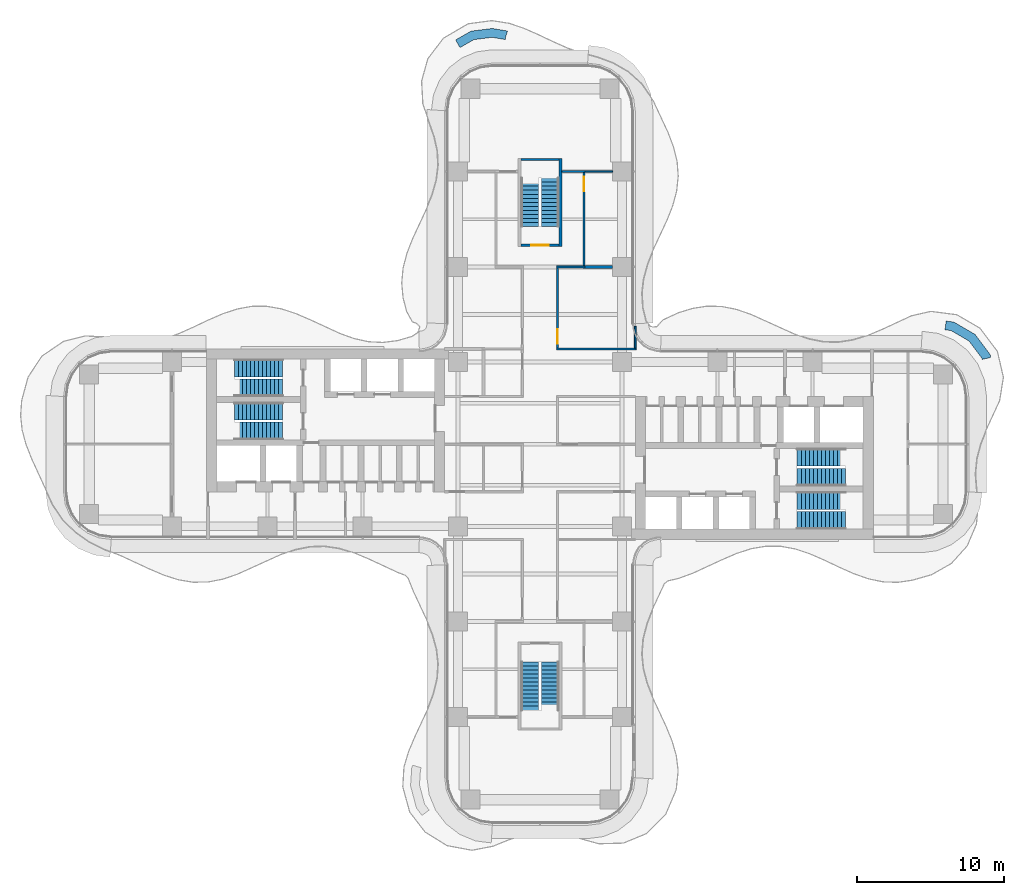
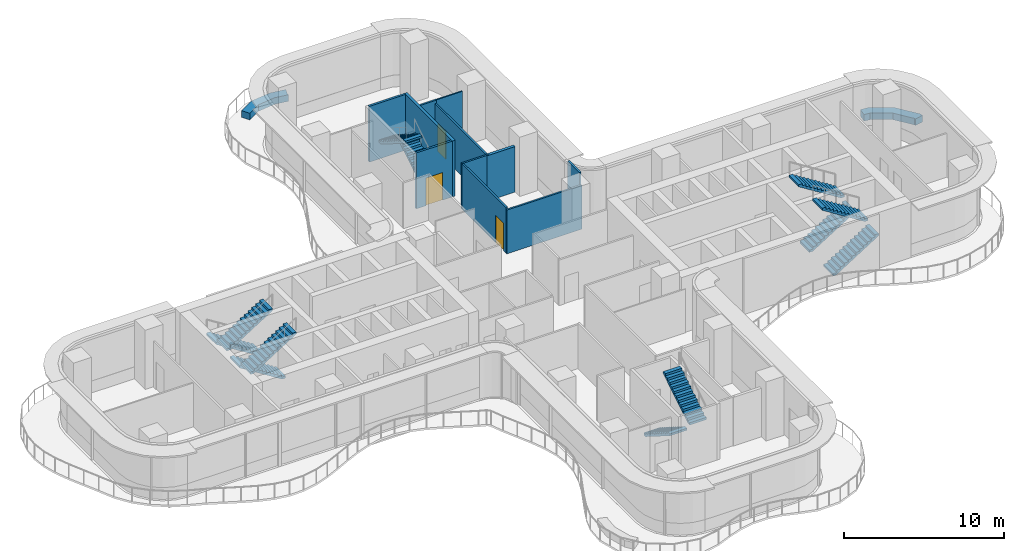
# One storey, part 19 of 21: 13 walls, 12 stair flights, 3 doors, 3 openings, 6 elements without a shape of their own.
"""IFC4 building model written with IfcOpenShell, lengths in metres."""

from ifc_helpers import new_model, si_unit, direction, frame, frame_2d, origin, place, context, subcontext, project, spatial, polyline, rectangle, outline, extrude, source, transform, mapped, material, layer, layer_set, type_object, element, fill, aggregate, save


model = new_model("IFC4")

# Units and contexts
model_context = context("Model", 3, precision=1e-05, world=origin(), true_north=direction((0.0, 1.0)))
body_context = subcontext(model_context, "Body", "Model", "MODEL_VIEW")
ifc_project = project(units=[si_unit("LENGTHUNIT", "METRE"), si_unit("AREAUNIT", "SQUARE_METRE"), si_unit("VOLUMEUNIT", "CUBIC_METRE"), si_unit("PLANEANGLEUNIT", "RADIAN"), si_unit("MASSUNIT", "GRAM", prefix="KILO")], contexts=[model_context])

# Site, building, storey
site_placement = place(None, origin())
site = spatial("IfcSite", under=ifc_project, at=site_placement, CompositionType="ELEMENT")
building_placement = place(site_placement, origin())
building = spatial("IfcBuilding", under=site, at=building_placement, Name="Trellis Farm Tower", CompositionType="ELEMENT")
storey_placement = place(building_placement, frame((0.0, 0.0, 138.0)))
storey = spatial("IfcBuildingStorey", under=building, at=storey_placement, Name="L29", CompositionType="ELEMENT", Elevation=138.0)

# Walls
ifc_material_1 = material(Name="Sandstone faced masonry planter", Category="masonry")
ifc_layer_1 = layer(ifc_material_1, 0.60009765625)
ifc_layer_set_1 = layer_set([ifc_layer_1], Name="PLANTER BED 600")
wall_type_1 = type_object("IfcWallType", Name="PLANTER BED 600", PredefinedType="USERDEFINED", material=ifc_layer_set_1)
placement = place(storey_placement, origin())
element("IfcWall", 1, at=placement, inside=storey, type_object=wall_type_1, Name="PLANTER bed", ObjectType="PLANTER", PredefinedType="USERDEFINED", context=body_context, shape_type="SweptSolid", body=[
    extrude(outline(polyline([(28.239990234375, 8.330078125), (29.684814453125, 7.489013671875), (30.706298828125, 6.12158203125), (30.75341796875, 5.917724609375), (30.168701171875, 5.782958984375), (30.150146484375, 5.86376953125), (29.277099609375, 7.031982421875), (28.0419921875, 7.751220703125), (27.628662109375, 7.805908203125), (27.70751953125, 8.400634765625), (28.239990234375, 8.330078125)])), origin(), (0.0, 0.0, 1.0), 0.5),
])
element("IfcWall", 2, at=placement, inside=storey, type_object=wall_type_1, Name="PLANTER bed", ObjectType="PLANTER", PredefinedType="USERDEFINED", context=body_context, shape_type="SweptSolid", body=[
    extrude(outline(polyline([(-3.263671875, 28.36083984375), (-2.2099609375, 28.184326171875), (-2.353515625, 27.758544921875), (-2.33935546875, 27.755126953125), (-2.36328125, 27.607177734375), (-3.27392578125, 27.754638671875), (-4.517578125, 27.59619140625), (-5.4560546875, 27.058349609375), (-5.75439453125, 27.578857421875), (-4.71240234375, 28.17626953125), (-3.263671875, 28.36083984375)])), origin(), (0.0, 0.0, 1.0), 0.5),
])
ifc_material_2 = material(Name="Concrete C70/85", Category="concrete")
ifc_layer_2 = layer(ifc_material_2, 0.199951171875)
ifc_layer_set_2 = layer_set([ifc_layer_2], Name="CORE STAIR ENCLOSURE WALL 200 CONCRETE C70/85")
wall_type_2 = type_object("IfcWallType", Name="CORE STAIR ENCLOSURE WALL 200 CONCRETE C70/85", PredefinedType="SHEAR", material=ifc_layer_set_2)
shared_shape_1 = source(origin(), body_context, "Body", "SweptSolid", [
    extrude(rectangle(XDim=6.0, YDim=0.199951171875, at=frame_2d((3.0, 0.0))), origin(), (0.0, 0.0, 1.0), 4.25),
])
wall_3_placement = place(storey_placement, frame((1.39990234375, 13.5, 0.0), z_axis=(0.0, 0.0, 1.0), x_axis=(0.0, 1.0, 0.0)))
element("IfcWall", 3, at=wall_3_placement, inside=storey, type_object=wall_type_2, Name="Stair enclosure wall", PredefinedType="SHEAR", context=body_context, shape_type="MappedRepresentation", body=[
    mapped(shared_shape_1, transform((0.0, 0.0, 0.0))),
])

# Wall, opening, door
ifc_layer_3 = layer(ifc_material_2, 0.14990234375)
ifc_layer_set_3 = layer_set([ifc_layer_3], Name="CORE STAIR ENCLOSURE WALL 150 CONCRETE C70/85")
wall_type_3 = type_object("IfcWallType", Name="CORE STAIR ENCLOSURE WALL 150 CONCRETE C70/85", PredefinedType="SHEAR", material=ifc_layer_set_3)
shared_shape_2 = source(origin(), body_context, "Body", "SweptSolid", [
    extrude(rectangle(XDim=2.60009765625, YDim=0.14990234375, at=frame_2d((1.300048828125, 0.0))), origin(), (0.0, 0.0, 1.0), 4.25),
])
wall_4_placement = place(storey_placement, frame((-1.300048828125, 13.574951171875, 0.0), z_axis=(0.0, 0.0, 1.0), x_axis=(1.0, 0.0, 0.0)))
wall_4 = element("IfcWall", 4, at=wall_4_placement, inside=storey, type_object=wall_type_3, Name="Stair enclosure wall", PredefinedType="SHEAR", context=body_context, shape_type="MappedRepresentation", body=[
    mapped(shared_shape_2, transform((0.0, 0.0, 0.0))),
])
shared_shape_3 = source(origin(), body_context, "Body", "SweptSolid", [
    extrude(rectangle(XDim=1.199951171875, YDim=2.10009765625, at=frame_2d((0.60009765625, 1.050048828125))), frame((0.0, 0.0849609375, 0.0), z_axis=(0.0, -1.0, 0.0), x_axis=(1.0, 0.0, 0.0)), (0.0, 0.0, 1.0), 0.169921875),
])
opening_1_placement = place(wall_4_placement, frame((0.699951171875, 0.0, 0.0)))
opening_1 = element("IfcOpeningElement", 5, at=opening_1_placement, cuts=wall_4, Name="Opening DC173", PredefinedType="OPENING", context=body_context, shape_type="MappedRepresentation", body=[
    mapped(shared_shape_3, transform((0.0, 0.0, 0.0))),
])
ifc_material_3 = material(Name="Steel", Category="steel")
door_type_1 = type_object("IfcDoorType", Name="CORE FIRE DOOR 1200 X 2100", OperationType="NOTDEFINED", PredefinedType="DOOR", material=ifc_material_3)
shared_shape_4 = source(origin(), body_context, "Body", "SweptSolid", [
    extrude(rectangle(XDim=1.199951171875, YDim=2.10009765625, at=frame_2d((0.60009765625, 1.050048828125))), frame((0.0, 0.02490234375, 0.0), z_axis=(0.0, -1.0, 0.0), x_axis=(1.0, 0.0, 0.0)), (0.0, 0.0, 1.0), 0.050048828125),
])
door_1_placement = place(opening_1_placement, origin())
door_1 = element("IfcDoor", 6, at=door_1_placement, inside=storey, type_object=door_type_1, Name="Core door", OperationType="SINGLE_SWING_LEFT", OverallHeight=2.10009765625, OverallWidth=1.199951171875, PredefinedType="DOOR", context=body_context, shape_type="MappedRepresentation", body=[
    mapped(shared_shape_4, transform((0.0, 0.0, 0.0))),
])
fill(opening_1, door_1)

# Wall
wall_5_placement = place(storey_placement, frame((-1.300048828125, 19.425048828125, 0.0), z_axis=(0.0, 0.0, 1.0), x_axis=(1.0, 0.0, 0.0)))
element("IfcWall", 7, at=wall_5_placement, inside=storey, type_object=wall_type_3, Name="Stair enclosure wall", PredefinedType="SHEAR", context=body_context, shape_type="MappedRepresentation", body=[
    mapped(shared_shape_2, transform((0.0, 0.0, 0.0))),
])

# Wall, opening, door
ifc_material_4 = material(Name="Plasterboard on steel studs, mineral wool", Category="steel")
ifc_layer_4 = layer(ifc_material_4, 0.125)
ifc_layer_set_4 = layer_set([ifc_layer_4], Name="PARTITION 125 STUD EI 60")
wall_type_4 = type_object("IfcWallType", Name="PARTITION 125 STUD EI 60", PredefinedType="PARTITIONING", material=ifc_layer_set_4)
shared_shape_5 = source(origin(), body_context, "Body", "SweptSolid", [
    extrude(rectangle(XDim=5.47509765625, YDim=0.125, at=frame_2d((2.737548828125, 0.0))), origin(), (0.0, 0.0, 1.0), 3.4677734375),
])
wall_6_placement = place(storey_placement, frame((1.199951171875, 12.03759765625, 0.0), z_axis=(0.0, 0.0, 1.0), x_axis=(0.0, -1.0, 0.0)))
wall_6 = element("IfcWall", 8, at=wall_6_placement, inside=storey, type_object=wall_type_4, Name="Partition PW1", PredefinedType="PARTITIONING", context=body_context, shape_type="MappedRepresentation", body=[
    mapped(shared_shape_5, transform((0.0, 0.0, 0.0))),
])
shared_shape_6 = source(origin(), body_context, "Body", "SweptSolid", [
    extrude(rectangle(XDim=1.0, YDim=2.10009765625, at=frame_2d((0.5, 1.050048828125))), frame((0.0, 0.072509765625, 0.0), z_axis=(0.0, -1.0, 0.0), x_axis=(1.0, 0.0, 0.0)), (0.0, 0.0, 1.0), 0.14501953125),
])
opening_2_placement = place(wall_6_placement, frame((4.1875, 0.0, 0.0)))
opening_2 = element("IfcOpeningElement", 9, at=opening_2_placement, cuts=wall_6, Name="Opening D304", PredefinedType="OPENING", context=body_context, shape_type="MappedRepresentation", body=[
    mapped(shared_shape_6, transform((0.0, 0.0, 0.0))),
])
ifc_material_5 = material(Name="Fire-rated timber door leaf in a hollow metal frame", Category="wood")
door_type_2 = type_object("IfcDoorType", Name="DOOR 1000x2100 FD60", OperationType="NOTDEFINED", PredefinedType="DOOR", material=ifc_material_5)
shared_shape_7 = source(origin(), body_context, "Body", "SweptSolid", [
    extrude(rectangle(XDim=1.0, YDim=2.10009765625, at=frame_2d((0.5, 1.050048828125))), frame((0.0, 0.02490234375, 0.0), z_axis=(0.0, -1.0, 0.0), x_axis=(1.0, 0.0, 0.0)), (0.0, 0.0, 1.0), 0.050048828125),
])
door_2_placement = place(opening_2_placement, origin())
door_2 = element("IfcDoor", 10, at=door_2_placement, inside=storey, type_object=door_type_2, Name="Door D304", OperationType="SINGLE_SWING_RIGHT", OverallHeight=2.10009765625, OverallWidth=1.0, PredefinedType="DOOR", context=body_context, shape_type="MappedRepresentation", body=[
    mapped(shared_shape_7, transform((0.0, 0.0, 0.0))),
])
fill(opening_2, door_2)

shared_shape_8 = source(origin(), body_context, "Body", "SweptSolid", [
    extrude(rectangle(XDim=6.35009765625, YDim=0.125, at=frame_2d((3.175048828125, 0.0))), origin(), (0.0, 0.0, 1.0), 3.4677734375),
])
wall_7_placement = place(storey_placement, frame((3.0, 18.550048828125, 0.0), z_axis=(0.0, 0.0, 1.0), x_axis=(0.0, -1.0, 0.0)))
wall_7 = element("IfcWall", 11, at=wall_7_placement, inside=storey, type_object=wall_type_4, Name="Partition PW1", PredefinedType="PARTITIONING", context=body_context, shape_type="MappedRepresentation", body=[
    mapped(shared_shape_8, transform((0.0, 0.0, 0.0))),
])
opening_3_placement = place(wall_7_placement, frame((0.300048828125, 0.0, 0.0)))
opening_3 = element("IfcOpeningElement", 12, at=opening_3_placement, cuts=wall_7, Name="Opening D113", PredefinedType="OPENING", context=body_context, shape_type="MappedRepresentation", body=[
    mapped(shared_shape_6, transform((0.0, 0.0, 0.0))),
])
door_type_3 = type_object("IfcDoorType", Name="DOOR 1000x2100 FD30S", OperationType="NOTDEFINED", PredefinedType="DOOR", material=ifc_material_5)
door_3_placement = place(opening_3_placement, origin())
door_3 = element("IfcDoor", 13, at=door_3_placement, inside=storey, type_object=door_type_3, Name="Door D113", OperationType="SINGLE_SWING_LEFT", OverallHeight=2.10009765625, OverallWidth=1.0, PredefinedType="DOOR", context=body_context, shape_type="MappedRepresentation", body=[
    mapped(shared_shape_7, transform((0.0, 0.0, 0.0))),
])
fill(opening_3, door_3)

# Walls
shared_shape_9 = source(origin(), body_context, "Body", "SweptSolid", [
    extrude(rectangle(XDim=1.468994140625, YDim=0.125, at=frame_2d((0.734375, 0.0))), origin(), (0.0, 0.0, 1.0), 4.25),
])
wall_8_placement = place(storey_placement, frame((6.5, 6.5625, 0.0), z_axis=(0.0, 0.0, 1.0), x_axis=(0.0, 1.0, 0.0)))
element("IfcWall", 14, at=wall_8_placement, inside=storey, type_object=wall_type_4, Name="Partition PW1", PredefinedType="PARTITIONING", context=body_context, shape_type="MappedRepresentation", body=[
    mapped(shared_shape_9, transform((0.0, 0.0, 0.0))),
])
shared_shape_10 = source(origin(), body_context, "Body", "SweptSolid", [
    extrude(rectangle(XDim=1.925048828125, YDim=0.125, at=frame_2d((0.96240234375, 0.0))), origin(), (0.0, 0.0, 1.0), 3.4677734375),
])
wall_9_placement = place(storey_placement, frame((3.0625, 12.10009765625, 0.0), z_axis=(0.0, 0.0, 1.0), x_axis=(-1.0, 0.0, 0.0)))
element("IfcWall", 15, at=wall_9_placement, inside=storey, type_object=wall_type_4, Name="Partition PW1", PredefinedType="PARTITIONING", context=body_context, shape_type="MappedRepresentation", body=[
    mapped(shared_shape_10, transform((0.0, 0.0, 0.0))),
])
shared_shape_11 = source(origin(), body_context, "Body", "SweptSolid", [
    extrude(rectangle(XDim=5.425048828125, YDim=0.125, at=frame_2d((2.71240234375, 0.0))), origin(), (0.0, 0.0, 1.0), 3.330078125),
])
wall_10_placement = place(storey_placement, frame((1.137451171875, 6.5, 0.0), z_axis=(0.0, 0.0, 1.0), x_axis=(1.0, 0.0, 0.0)))
element("IfcWall", 16, at=wall_10_placement, inside=storey, type_object=wall_type_4, Name="Partition PW1", PredefinedType="PARTITIONING", context=body_context, shape_type="MappedRepresentation", body=[
    mapped(shared_shape_11, transform((0.0, 0.0, 0.0))),
])
shared_shape_12 = source(origin(), body_context, "Body", "SweptSolid", [
    extrude(rectangle(XDim=1.5625, YDim=0.125, at=frame_2d((0.78125, 0.0))), origin(), (0.0, 0.0, 1.0), 3.697021484375),
])
wall_11_placement = place(storey_placement, frame((1.5, 18.60009765625, 0.0), z_axis=(0.0, 0.0, 1.0), x_axis=(1.0, 0.0, 0.0)))
element("IfcWall", 17, at=wall_11_placement, inside=storey, type_object=wall_type_4, Name="Partition PW1", PredefinedType="PARTITIONING", context=body_context, shape_type="MappedRepresentation", body=[
    mapped(shared_shape_12, transform((0.0, 0.0, 0.0))),
])
ifc_material_6 = material(Name="Plasterboard on steel studs", Category="steel")
ifc_layer_5 = layer(ifc_material_6, 0.10009765625)
ifc_layer_set_5 = layer_set([ifc_layer_5], Name="PARTITION 100 STUD EI 30")
wall_type_5 = type_object("IfcWallType", Name="PARTITION 100 STUD EI 30", PredefinedType="PARTITIONING", material=ifc_layer_set_5)
shared_shape_13 = source(origin(), body_context, "Body", "SweptSolid", [
    extrude(rectangle(XDim=2.012451171875, YDim=0.10009765625, at=frame_2d((1.00634765625, 0.0))), origin(), (0.0, 0.0, 1.0), 3.697021484375),
])
wall_12_placement = place(storey_placement, frame((2.9375, 18.60009765625, 0.0), z_axis=(0.0, 0.0, 1.0), x_axis=(1.0, 0.0, 0.0)))
element("IfcWall", 18, at=wall_12_placement, inside=storey, type_object=wall_type_5, Name="Partition PW2", PredefinedType="PARTITIONING", context=body_context, shape_type="MappedRepresentation", body=[
    mapped(shared_shape_13, transform((0.0, 0.0, 0.0))),
])
ifc_material_7 = material(Name="Lightweight blockwork, plastered", Category="masonry")
ifc_layer_6 = layer(ifc_material_7, 0.199951171875)
ifc_layer_set_6 = layer_set([ifc_layer_6], Name="BLOCK WALL 200 EI 120")
wall_type_6 = type_object("IfcWallType", Name="BLOCK WALL 200 EI 120", PredefinedType="PARTITIONING", material=ifc_layer_set_6)
shared_shape_14 = source(origin(), body_context, "Body", "SweptSolid", [
    extrude(rectangle(XDim=2.012451171875, YDim=0.199951171875, at=frame_2d((1.00634765625, 0.0))), origin(), (0.0, 0.0, 1.0), 3.4677734375),
])
wall_13_placement = place(storey_placement, frame((2.9375, 12.10009765625, 0.0), z_axis=(0.0, 0.0, 1.0), x_axis=(1.0, 0.0, 0.0)))
element("IfcWall", 19, at=wall_13_placement, inside=storey, type_object=wall_type_6, Name="Partition PW3", PredefinedType="PARTITIONING", context=body_context, shape_type="MappedRepresentation", body=[
    mapped(shared_shape_14, transform((0.0, 0.0, 0.0))),
])

# Stair, stair flights
ifc_material_8 = material(Name="Concrete C50/60", Category="concrete")
stair_type = type_object("IfcStairType", Name="CORE EXIT STAIR 26 RISERS 173 MM", PredefinedType="HALF_TURN_STAIR", material=ifc_material_8)
stair_1 = element("IfcStair", 20, at=placement, inside=storey, type_object=stair_type, Name="Exit stair N", PredefinedType="HALF_TURN_STAIR")
stair_flight_type = type_object("IfcStairFlightType", Name="STAIR FLIGHT 13 RISERS 173 MM", PredefinedType="STRAIGHT", material=ifc_material_8)
shared_shape_15 = source(origin(), body_context, "Body", "SweptSolid", [
    extrude(outline(polyline([(0.0, 0.0), (0.0, 0.173095703125), (0.27490234375, 0.173095703125), (0.27490234375, 0.34619140625), (0.550048828125, 0.34619140625), (0.550048828125, 0.519287109375), (0.824951171875, 0.519287109375), (0.824951171875, 0.6923828125), (1.10009765625, 0.6923828125), (1.10009765625, 0.865478515625), (1.375, 0.865478515625), (1.375, 1.03857421875), (1.64990234375, 1.03857421875), (1.64990234375, 1.21142578125), (1.925048828125, 1.21142578125), (1.925048828125, 1.384521484375), (2.199951171875, 1.384521484375), (2.199951171875, 1.5576171875), (2.47509765625, 1.5576171875), (2.47509765625, 1.730712890625), (2.75, 1.730712890625), (2.75, 1.90380859375), (3.02490234375, 1.90380859375), (3.02490234375, 2.076904296875), (3.300048828125, 2.076904296875), (3.300048828125, 2.25), (3.300048828125, 1.92333984375), (0.243896484375, 0.0), (0.0, 0.0)])), frame((0.0, 0.60009765625, 0.0), z_axis=(0.0, -1.0, 0.0), x_axis=(1.0, 0.0, 0.0)), (0.0, 0.0, 1.0), 1.199951171875),
])
stair_flight_1_placement = place(storey_placement, frame((0.699951171875, 14.85009765625, 0.0), z_axis=(0.0, 0.0, 1.0), x_axis=(0.0, 1.0, 0.0)))
stair_flight_1 = element("IfcStairFlight", 21, at=stair_flight_1_placement, type_object=stair_flight_type, Name="STN flight 1", NumberOfRisers=13, NumberOfTreads=12, PredefinedType="STRAIGHT", RiserHeight=0.173076923, TreadLength=0.275, context=body_context, shape_type="MappedRepresentation", body=[
    mapped(shared_shape_15, transform((0.0, 0.0, 0.0))),
])
stair_flight_2_placement = place(storey_placement, frame((-0.699951171875, 18.14990234375, 2.25), z_axis=(0.0, 0.0, 1.0), x_axis=(0.0, -1.0, 0.0)))
stair_flight_2 = element("IfcStairFlight", 22, at=stair_flight_2_placement, type_object=stair_flight_type, Name="STN flight 2", NumberOfRisers=13, NumberOfTreads=12, PredefinedType="STRAIGHT", RiserHeight=0.173076923, TreadLength=0.275, context=body_context, shape_type="MappedRepresentation", body=[
    mapped(shared_shape_15, transform((0.0, 0.0, 0.0))),
])
aggregate(stair_1, [stair_flight_1, stair_flight_2])

stair_2 = element("IfcStair", 23, at=placement, inside=storey, type_object=stair_type, Name="Exit stair S", PredefinedType="HALF_TURN_STAIR")
stair_flight_3_placement = place(storey_placement, frame((-0.699951171875, -14.85009765625, 0.0), z_axis=(0.0, 0.0, 1.0), x_axis=(0.0, -1.0, 0.0)))
stair_flight_3 = element("IfcStairFlight", 24, at=stair_flight_3_placement, type_object=stair_flight_type, Name="STS flight 1", NumberOfRisers=13, NumberOfTreads=12, PredefinedType="STRAIGHT", RiserHeight=0.173076923, TreadLength=0.275, context=body_context, shape_type="MappedRepresentation", body=[
    mapped(shared_shape_15, transform((0.0, 0.0, 0.0))),
])
stair_flight_4_placement = place(storey_placement, frame((0.699951171875, -18.14990234375, 2.25), z_axis=(0.0, 0.0, 1.0), x_axis=(0.0, 1.0, 0.0)))
stair_flight_4 = element("IfcStairFlight", 25, at=stair_flight_4_placement, type_object=stair_flight_type, Name="STS flight 2", NumberOfRisers=13, NumberOfTreads=12, PredefinedType="STRAIGHT", RiserHeight=0.173076923, TreadLength=0.275, context=body_context, shape_type="MappedRepresentation", body=[
    mapped(shared_shape_15, transform((0.0, 0.0, 0.0))),
])
aggregate(stair_2, [stair_flight_3, stair_flight_4])

stair_3 = element("IfcStair", 26, at=placement, inside=storey, type_object=stair_type, Name="Exit stair E1", PredefinedType="HALF_TURN_STAIR")
stair_flight_5_placement = place(storey_placement, frame((17.550048828125, -5.199951171875, 0.0), z_axis=(0.0, 0.0, 1.0), x_axis=(1.0, 0.0, 0.0)))
stair_flight_5 = element("IfcStairFlight", 27, at=stair_flight_5_placement, type_object=stair_flight_type, Name="STE1 flight 1", NumberOfRisers=13, NumberOfTreads=12, PredefinedType="STRAIGHT", RiserHeight=0.173076923, TreadLength=0.275, context=body_context, shape_type="MappedRepresentation", body=[
    mapped(shared_shape_15, transform((0.0, 0.0, 0.0))),
])
stair_flight_6_placement = place(storey_placement, frame((20.85009765625, -3.85009765625, 2.25), z_axis=(0.0, 0.0, 1.0), x_axis=(-1.0, 0.0, 0.0)))
stair_flight_6 = element("IfcStairFlight", 28, at=stair_flight_6_placement, type_object=stair_flight_type, Name="STE1 flight 2", NumberOfRisers=13, NumberOfTreads=12, PredefinedType="STRAIGHT", RiserHeight=0.173076923, TreadLength=0.275, context=body_context, shape_type="MappedRepresentation", body=[
    mapped(shared_shape_15, transform((0.0, 0.0, 0.0))),
])
aggregate(stair_3, [stair_flight_5, stair_flight_6])

stair_4 = element("IfcStair", 29, at=placement, inside=storey, type_object=stair_type, Name="Exit stair E2", PredefinedType="HALF_TURN_STAIR")
stair_flight_7_placement = place(storey_placement, frame((17.550048828125, -2.25, 0.0), z_axis=(0.0, 0.0, 1.0), x_axis=(1.0, 0.0, 0.0)))
stair_flight_7 = element("IfcStairFlight", 30, at=stair_flight_7_placement, type_object=stair_flight_type, Name="STE2 flight 1", NumberOfRisers=13, NumberOfTreads=12, PredefinedType="STRAIGHT", RiserHeight=0.173076923, TreadLength=0.275, context=body_context, shape_type="MappedRepresentation", body=[
    mapped(shared_shape_15, transform((0.0, 0.0, 0.0))),
])
stair_flight_8_placement = place(storey_placement, frame((20.85009765625, -0.89990234375, 2.25), z_axis=(0.0, 0.0, 1.0), x_axis=(-1.0, 0.0, 0.0)))
stair_flight_8 = element("IfcStairFlight", 31, at=stair_flight_8_placement, type_object=stair_flight_type, Name="STE2 flight 2", NumberOfRisers=13, NumberOfTreads=12, PredefinedType="STRAIGHT", RiserHeight=0.173076923, TreadLength=0.275, context=body_context, shape_type="MappedRepresentation", body=[
    mapped(shared_shape_15, transform((0.0, 0.0, 0.0))),
])
aggregate(stair_4, [stair_flight_7, stair_flight_8])

stair_5 = element("IfcStair", 32, at=placement, inside=storey, type_object=stair_type, Name="Exit stair W1", PredefinedType="HALF_TURN_STAIR")
stair_flight_9_placement = place(storey_placement, frame((-17.550048828125, 5.199951171875, 0.0), z_axis=(0.0, 0.0, 1.0), x_axis=(-1.0, 0.0, 0.0)))
stair_flight_9 = element("IfcStairFlight", 33, at=stair_flight_9_placement, type_object=stair_flight_type, Name="STW1 flight 1", NumberOfRisers=13, NumberOfTreads=12, PredefinedType="STRAIGHT", RiserHeight=0.173076923, TreadLength=0.275, context=body_context, shape_type="MappedRepresentation", body=[
    mapped(shared_shape_15, transform((0.0, 0.0, 0.0))),
])
stair_flight_10_placement = place(storey_placement, frame((-20.85009765625, 3.85009765625, 2.25), z_axis=(0.0, 0.0, 1.0), x_axis=(1.0, 0.0, 0.0)))
stair_flight_10 = element("IfcStairFlight", 34, at=stair_flight_10_placement, type_object=stair_flight_type, Name="STW1 flight 2", NumberOfRisers=13, NumberOfTreads=12, PredefinedType="STRAIGHT", RiserHeight=0.173076923, TreadLength=0.275, context=body_context, shape_type="MappedRepresentation", body=[
    mapped(shared_shape_15, transform((0.0, 0.0, 0.0))),
])
aggregate(stair_5, [stair_flight_9, stair_flight_10])

stair_6 = element("IfcStair", 35, at=placement, inside=storey, type_object=stair_type, Name="Exit stair W2", PredefinedType="HALF_TURN_STAIR")
stair_flight_11_placement = place(storey_placement, frame((-17.550048828125, 2.25, 0.0), z_axis=(0.0, 0.0, 1.0), x_axis=(-1.0, 0.0, 0.0)))
stair_flight_11 = element("IfcStairFlight", 36, at=stair_flight_11_placement, type_object=stair_flight_type, Name="STW2 flight 1", NumberOfRisers=13, NumberOfTreads=12, PredefinedType="STRAIGHT", RiserHeight=0.173076923, TreadLength=0.275, context=body_context, shape_type="MappedRepresentation", body=[
    mapped(shared_shape_15, transform((0.0, 0.0, 0.0))),
])
stair_flight_12_placement = place(storey_placement, frame((-20.85009765625, 0.89990234375, 2.25), z_axis=(0.0, 0.0, 1.0), x_axis=(1.0, 0.0, 0.0)))
stair_flight_12 = element("IfcStairFlight", 37, at=stair_flight_12_placement, type_object=stair_flight_type, Name="STW2 flight 2", NumberOfRisers=13, NumberOfTreads=12, PredefinedType="STRAIGHT", RiserHeight=0.173076923, TreadLength=0.275, context=body_context, shape_type="MappedRepresentation", body=[
    mapped(shared_shape_15, transform((0.0, 0.0, 0.0))),
])
aggregate(stair_6, [stair_flight_11, stair_flight_12])

save(model, "model.ifc")
